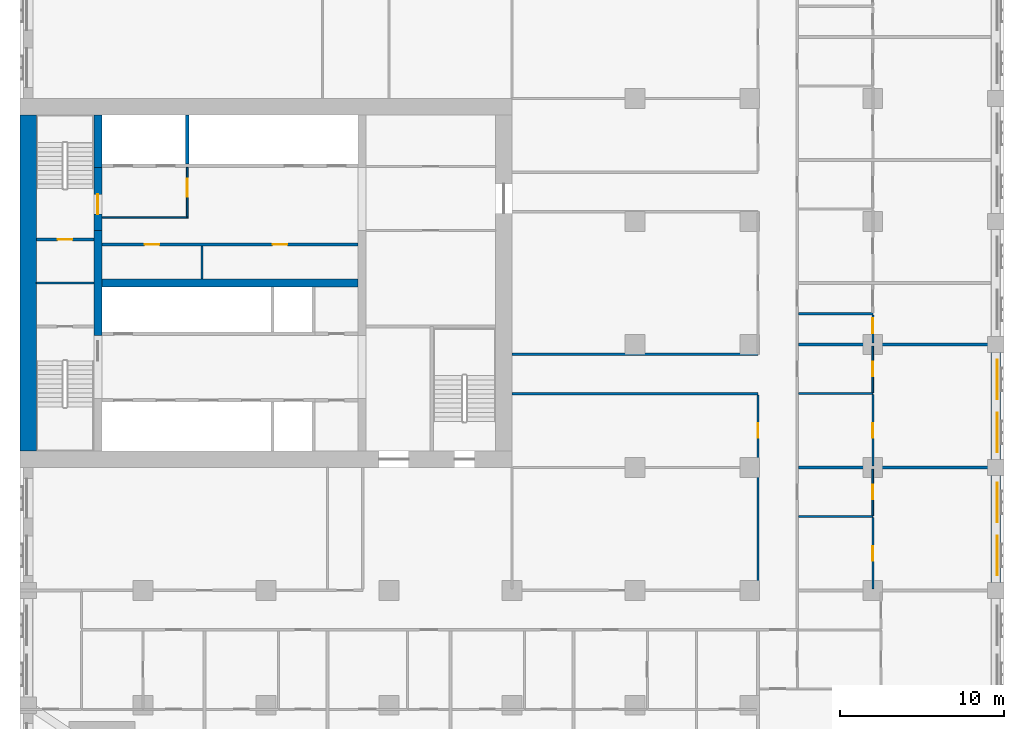
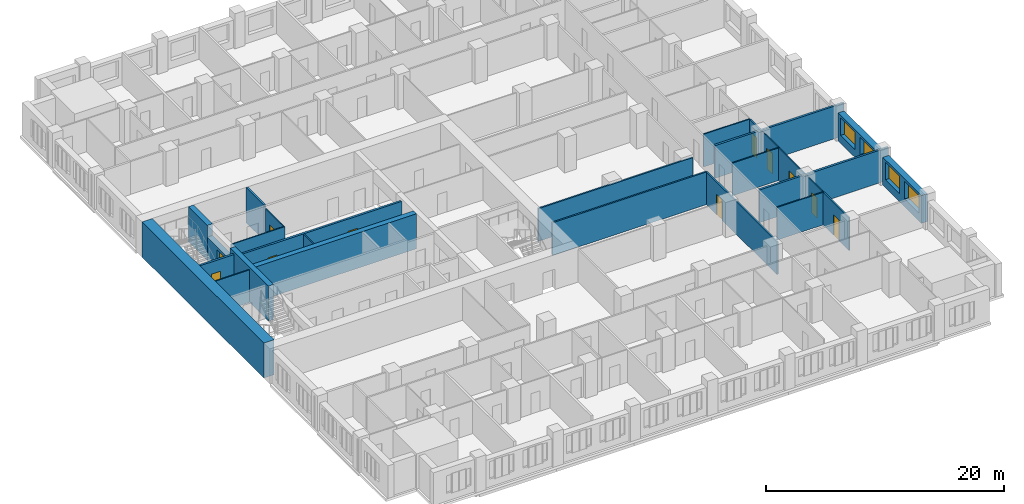
# One storey, part 7 of 14: 27 walls, 11 doors, 4 windows, 15 openings.
"""IFC4 building model written with IfcOpenShell, lengths in metres."""

import ifcopenshell
import ifcopenshell.guid

model = None  # the IFC model being written
_history = None  # IfcOwnerHistory: only IFC2X3 demands one
_inside = {}  # id of a spatial element -> (the spatial element, [elements in it])
_under = {}  # id of a project, library or spatial element -> (it, [spatial elements below it])
_declared = {}  # id of a project -> (the project, [libraries it declares])
_typed = {}  # id of a type object -> (the type object, [elements of that type])
_made_of = {}  # id of a material, layer set ... -> (it, [elements and type objects made of it])


def new_model(schema):
    """Start an empty IFC model of exactly this schema.

    Asked for "IFC4X3", IfcOpenShell would pick the latest addendum, in which some entities
    have other attributes; the version numbers below select the first issue.
    IFC2X3 requires an IfcOwnerHistory on every rooted entity: one is made here for all.
    """
    global model, _history
    if schema == "IFC4X3":
        model = ifcopenshell.file(schema_version=(4, 3, 0, 0))
    else:
        model = ifcopenshell.file(schema=schema)
    _inside.clear()
    _under.clear()
    _declared.clear()
    _typed.clear()
    _made_of.clear()
    _history = None
    if model.schema == "IFC2X3":
        org = make("IfcOrganization", Name="unknown")
        user = make(
            "IfcPersonAndOrganization",
            ThePerson=make("IfcPerson", FamilyName="unknown"),
            TheOrganization=org,
        )
        app = make(
            "IfcApplication",
            ApplicationDeveloper=org,
            Version="unknown",
            ApplicationFullName="unknown",
            ApplicationIdentifier="unknown",
        )
        _history = make(
            "IfcOwnerHistory",
            OwningUser=user,
            OwningApplication=app,
            ChangeAction="ADDED",
            CreationDate=0,
        )
    return model


def make(cls, **values):
    """One entity of the class cls with the attributes given. An attribute that is None is left unset."""
    return model.create_entity(
        cls, **{name: value for name, value in values.items() if value is not None}
    )


def rooted(cls, **values):
    """An entity with a GlobalId (a new one), such as an element, a storey or a relation."""
    return make(cls, GlobalId=ifcopenshell.guid.new(), OwnerHistory=_history, **values)


def si_unit(unit_type, name, prefix=None):
    """IfcSIUnit, for example si_unit("LENGTHUNIT", "METRE", prefix="MILLI")."""
    return make("IfcSIUnit", UnitType=unit_type, Prefix=prefix, Name=name)


def assignment(units):
    """IfcUnitAssignment: the units of a project."""
    return None if units is None else make("IfcUnitAssignment", Units=units)


def point(xyz):
    """IfcCartesianPoint."""
    return None if xyz is None else make("IfcCartesianPoint", Coordinates=xyz)


def direction(xyz):
    """IfcDirection."""
    return None if xyz is None else make("IfcDirection", DirectionRatios=xyz)


def frame(location, z_axis=None, x_axis=None):
    """IfcAxis2Placement3D, a coordinate frame: its origin and axes. An axis left out is left unset."""
    return make(
        "IfcAxis2Placement3D",
        Location=point(location),
        Axis=direction(z_axis),
        RefDirection=direction(x_axis),
    )


def frame_2d(location, x_axis=None):
    """IfcAxis2Placement2D, a coordinate frame in the plane: its origin and x axis."""
    return make(
        "IfcAxis2Placement2D", Location=point(location), RefDirection=direction(x_axis)
    )


def origin():
    """The frame at (0, 0, 0) with its axes left unset."""
    return frame((0.0, 0.0, 0.0))


def place(relative_to, where):
    """IfcLocalPlacement: puts the frame where relative to a parent placement (None: the world)."""
    return make(
        "IfcLocalPlacement", PlacementRelTo=relative_to, RelativePlacement=where
    )


def context(
    kind, dimensions, precision=None, world=None, true_north=None, identifier=None
):
    """IfcGeometricRepresentationContext, for example the 3D "Model" context."""
    return make(
        "IfcGeometricRepresentationContext",
        ContextIdentifier=identifier,
        ContextType=kind,
        CoordinateSpaceDimension=dimensions,
        Precision=precision,
        WorldCoordinateSystem=world,
        TrueNorth=true_north,
    )


def subcontext(parent, identifier, kind, view, scale=None):
    """IfcGeometricRepresentationSubContext, for example "Body" below "Model"."""
    return make(
        "IfcGeometricRepresentationSubContext",
        ContextIdentifier=identifier,
        ContextType=kind,
        ParentContext=parent,
        TargetScale=scale,
        TargetView=view,
    )


def project(units=None, contexts=None):
    """IfcProject with its units and contexts."""
    return rooted(
        "IfcProject",
        Name="project",
        RepresentationContexts=contexts,
        UnitsInContext=assignment(units),
    )


def spatial(cls, under=None, at=None, **own):
    """A site, building, storey or space (cls), placed at a placement, below another one or the project."""
    s = rooted(cls, ObjectPlacement=at, **own)
    if under is not None:
        _under.setdefault(under.id(), (under, []))[1].append(s)
    return s


def profile(cls, at=None, kind="AREA", **sizes):
    """A parametric profile (cls). Its sizes go by their IFC names, for example OverallWidth=200.0."""
    return make(cls, ProfileType=kind, Position=at, **sizes)


def rectangle(**sizes):
    """IfcRectangleProfileDef."""
    return profile("IfcRectangleProfileDef", **sizes)


def extrude(swept, where, along, depth):
    """IfcExtrudedAreaSolid: the profile swept, set in the frame where, extruded along a direction by depth."""
    return make(
        "IfcExtrudedAreaSolid",
        SweptArea=swept,
        Position=where,
        ExtrudedDirection=direction(along),
        Depth=depth,
    )


def shape(context_of_items, identifier, shape_type, items):
    """IfcShapeRepresentation: the items that make up one representation, for example the "Body"."""
    return make(
        "IfcShapeRepresentation",
        ContextOfItems=context_of_items,
        RepresentationIdentifier=identifier,
        RepresentationType=shape_type,
        Items=items,
    )


def material(Name=None, Category=None):
    """IfcMaterial."""
    return make("IfcMaterial", Name=Name, Category=Category)


def layer(
    of_material, thickness, ventilated=None, Name=None, Category=None, Priority=None
):
    """IfcMaterialLayer: one layer of a wall or slab, of a material (None: an air gap)."""
    return make(
        "IfcMaterialLayer",
        Material=of_material,
        LayerThickness=thickness,
        IsVentilated=ventilated,
        Name=Name,
        Category=Category,
        Priority=Priority,
    )


def layer_set(layers, Name=None):
    """IfcMaterialLayerSet."""
    return make("IfcMaterialLayerSet", MaterialLayers=layers, LayerSetName=Name)


def made_of(thing, what):
    """Note that an element or type object is made of a material, layer set ...; save() writes the relation."""
    if what is not None:
        _made_of.setdefault(what.id(), (what, []))[1].append(thing)
    return thing


def type_object(cls, material=None, **own):
    """A type object (cls), such as IfcWallType, which elements share."""
    return made_of(rooted(cls, **own), material)


def element(
    cls,
    number,
    at=None,
    inside=None,
    cuts=None,
    type_object=None,
    material=None,
    context=None,
    identifier="Body",
    shape_type=None,
    held_by="IfcProductDefinitionShape",
    body=None,
    shapes=None,
    **own,
):
    """One element of the class cls, such as IfcWall. Its Tag is "e" and its number.

    at: its placement. inside: the storey or other place that contains it. cuts: it is an
    opening in that element (IfcRelVoidsElement). A single representation is given by context,
    identifier, shape_type and body (its items); several are given by shapes. held_by: the class
    of the entity that holds the representations. save() writes the other relations.
    """
    e = rooted(cls, Tag="e%d" % number, ObjectPlacement=at, **own)
    if body is not None:
        shapes = [shape(context, identifier, shape_type, body)]
    if shapes is not None:
        e.Representation = make(held_by, Representations=shapes)
    if inside is not None:
        _inside.setdefault(inside.id(), (inside, []))[1].append(e)
    if cuts is not None:
        rooted(
            "IfcRelVoidsElement", RelatingBuildingElement=cuts, RelatedOpeningElement=e
        )
    if type_object is not None:
        _typed.setdefault(type_object.id(), (type_object, []))[1].append(e)
    return made_of(e, material)


def fill(opening, filler):
    """IfcRelFillsElement: the door or window that sits in an opening."""
    return rooted(
        "IfcRelFillsElement",
        RelatingOpeningElement=opening,
        RelatedBuildingElement=filler,
    )


def aggregate(whole, parts):
    """IfcRelAggregates: a whole, such as a stair, and the parts it consists of."""
    return rooted("IfcRelAggregates", RelatingObject=whole, RelatedObjects=parts)


def save(model, path):
    """Write the relations noted so far, then the file.

    IfcRelAggregates (storeys below a building ...), IfcRelContainedInSpatialStructure (elements
    in a storey), IfcRelDefinesByType, IfcRelAssociatesMaterial and IfcRelDeclares: one each for
    every whole, place, type object, material and project.
    """
    for whole, parts in _under.values():
        aggregate(whole, parts)
    for where, things in _inside.values():
        rooted(
            "IfcRelContainedInSpatialStructure",
            RelatedElements=things,
            RelatingStructure=where,
        )
    for kind, things in _typed.values():
        rooted("IfcRelDefinesByType", RelatedObjects=things, RelatingType=kind)
    for what, things in _made_of.values():
        rooted("IfcRelAssociatesMaterial", RelatedObjects=things, RelatingMaterial=what)
    for by, libraries in _declared.values():
        rooted("IfcRelDeclares", RelatingContext=by, RelatedDefinitions=libraries)
    model.write(path)


model = new_model("IFC4")

# Units and contexts
model_context = context("Model", 3, precision=1e-05, world=origin(), true_north=direction((0.0, 1.0)))
body_context = subcontext(model_context, "Body", "Model", "MODEL_VIEW")
ifc_project = project(units=[si_unit("LENGTHUNIT", "METRE"), si_unit("AREAUNIT", "SQUARE_METRE"), si_unit("VOLUMEUNIT", "CUBIC_METRE"), si_unit("PLANEANGLEUNIT", "RADIAN"), si_unit("MASSUNIT", "GRAM", prefix="KILO")], contexts=[model_context])

# Site, building, storey
site_placement = place(None, origin())
site = spatial("IfcSite", under=ifc_project, at=site_placement, CompositionType="ELEMENT")
building_placement = place(site_placement, origin())
building = spatial("IfcBuilding", under=site, at=building_placement, Name="Tamorin Gate", CompositionType="ELEMENT")
storey_placement = place(building_placement, frame((0.0, 0.0, 66.39990234375)))
storey = spatial("IfcBuildingStorey", under=building, at=storey_placement, Name="L15", CompositionType="ELEMENT", Elevation=66.39990234375)

# Wall, openings, windows
ifc_material_1 = material(Name="Precast concrete C40/50", Category="concrete")
ifc_layer_1 = layer(ifc_material_1, 0.60009765625)
ifc_layer_set_1 = layer_set([ifc_layer_1], Name="Precast concrete C40/50")
wall_type_1 = type_object("IfcWallType", Name="Board-marked concrete facade panel 600", PredefinedType="SOLIDWALL", material=ifc_layer_set_1)
wall_1_placement = place(storey_placement, frame((89.5, 53.0, 0.0), z_axis=(0.0, 0.0, 1.0), x_axis=(0.0, 1.0, 0.0)))
wall_1 = element("IfcWall", 1, at=wall_1_placement, inside=storey, type_object=wall_type_1, Name="Facade panel", PredefinedType="SOLIDWALL", context=body_context, shape_type="SweptSolid", body=[
    extrude(rectangle(XDim=6.5, YDim=0.60009765625, at=frame_2d((3.25, 0.0))), origin(), (0.0, 0.0, 1.0), 2.85009765625),
])
opening_1_placement = place(wall_1_placement, frame((0.425048828125, 0.0, 0.800048828125)))
opening_1 = element("IfcOpeningElement", 2, at=opening_1_placement, cuts=wall_1, Name="Opening WN1", PredefinedType="OPENING", context=body_context, shape_type="SweptSolid", body=[
    extrude(rectangle(XDim=2.39990234375, YDim=1.800048828125, at=frame_2d((1.199951171875, 0.89990234375))), frame((0.0, 0.31005859375, 0.0), z_axis=(0.0, -1.0, 0.0), x_axis=(1.0, 0.0, 0.0)), (0.0, 0.0, 1.0), 0.6201171875),
])
opening_2_placement = place(wall_1_placement, frame((3.675048828125, 0.0, 0.800048828125)))
opening_2 = element("IfcOpeningElement", 3, at=opening_2_placement, cuts=wall_1, Name="Opening WN1", PredefinedType="OPENING", context=body_context, shape_type="SweptSolid", body=[
    extrude(rectangle(XDim=2.39990234375, YDim=1.800048828125, at=frame_2d((1.199951171875, 0.89990234375))), frame((0.0, 0.31005859375, 0.0), z_axis=(0.0, -1.0, 0.0), x_axis=(1.0, 0.0, 0.0)), (0.0, 0.0, 1.0), 0.6201171875),
])
ifc_material_2 = material(Name="Clear glass in aluminium frame", Category="aluminium")
window_type = type_object("IfcWindowType", Name="Deep-set window 2400x1800", PartitioningType="SINGLE_PANEL", PredefinedType="WINDOW", material=ifc_material_2)
window_1_placement = place(opening_1_placement, origin())
window_1 = element("IfcWindow", 4, at=window_1_placement, inside=storey, type_object=window_type, Name="Deep-set window", OverallHeight=1.800048828125, OverallWidth=2.39990234375, PartitioningType="SINGLE_PANEL", PredefinedType="WINDOW", context=body_context, shape_type="SweptSolid", body=[
    extrude(rectangle(XDim=2.39990234375, YDim=1.800048828125, at=frame_2d((1.199951171875, 0.89990234375))), frame((0.0, -0.070068359375, 0.0), z_axis=(0.0, -1.0, 0.0), x_axis=(1.0, 0.0, 0.0)), (0.0, 0.0, 1.0), 0.06005859375),
])
fill(opening_1, window_1)
window_2_placement = place(opening_2_placement, origin())
window_2 = element("IfcWindow", 5, at=window_2_placement, inside=storey, type_object=window_type, Name="Deep-set window", OverallHeight=1.800048828125, OverallWidth=2.39990234375, PartitioningType="SINGLE_PANEL", PredefinedType="WINDOW", context=body_context, shape_type="SweptSolid", body=[
    extrude(rectangle(XDim=2.39990234375, YDim=1.800048828125, at=frame_2d((1.199951171875, 0.89990234375))), frame((0.0, -0.070068359375, 0.0), z_axis=(0.0, -1.0, 0.0), x_axis=(1.0, 0.0, 0.0)), (0.0, 0.0, 1.0), 0.06005859375),
])
fill(opening_2, window_2)

wall_2_placement = place(storey_placement, frame((89.5, 60.5, 0.0), z_axis=(0.0, 0.0, 1.0), x_axis=(0.0, 1.0, 0.0)))
wall_2 = element("IfcWall", 6, at=wall_2_placement, inside=storey, type_object=wall_type_1, Name="Facade panel", PredefinedType="SOLIDWALL", context=body_context, shape_type="SweptSolid", body=[
    extrude(rectangle(XDim=6.5, YDim=0.60009765625, at=frame_2d((3.25, 0.0))), origin(), (0.0, 0.0, 1.0), 2.85009765625),
])
opening_3_placement = place(wall_2_placement, frame((0.425048828125, 0.0, 0.800048828125)))
opening_3 = element("IfcOpeningElement", 7, at=opening_3_placement, cuts=wall_2, Name="Opening WN1", PredefinedType="OPENING", context=body_context, shape_type="SweptSolid", body=[
    extrude(rectangle(XDim=2.39990234375, YDim=1.800048828125, at=frame_2d((1.199951171875, 0.89990234375))), frame((0.0, 0.31005859375, 0.0), z_axis=(0.0, -1.0, 0.0), x_axis=(1.0, 0.0, 0.0)), (0.0, 0.0, 1.0), 0.6201171875),
])
opening_4_placement = place(wall_2_placement, frame((3.675048828125, 0.0, 0.800048828125)))
opening_4 = element("IfcOpeningElement", 8, at=opening_4_placement, cuts=wall_2, Name="Opening WN1", PredefinedType="OPENING", context=body_context, shape_type="SweptSolid", body=[
    extrude(rectangle(XDim=2.39990234375, YDim=1.800048828125, at=frame_2d((1.199951171875, 0.89990234375))), frame((0.0, 0.31005859375, 0.0), z_axis=(0.0, -1.0, 0.0), x_axis=(1.0, 0.0, 0.0)), (0.0, 0.0, 1.0), 0.6201171875),
])
window_3_placement = place(opening_3_placement, origin())
window_3 = element("IfcWindow", 9, at=window_3_placement, inside=storey, type_object=window_type, Name="Deep-set window", OverallHeight=1.800048828125, OverallWidth=2.39990234375, PartitioningType="SINGLE_PANEL", PredefinedType="WINDOW", context=body_context, shape_type="SweptSolid", body=[
    extrude(rectangle(XDim=2.39990234375, YDim=1.800048828125, at=frame_2d((1.199951171875, 0.89990234375))), frame((0.0, -0.070068359375, 0.0), z_axis=(0.0, -1.0, 0.0), x_axis=(1.0, 0.0, 0.0)), (0.0, 0.0, 1.0), 0.06005859375),
])
fill(opening_3, window_3)
window_4_placement = place(opening_4_placement, origin())
window_4 = element("IfcWindow", 10, at=window_4_placement, inside=storey, type_object=window_type, Name="Deep-set window", OverallHeight=1.800048828125, OverallWidth=2.39990234375, PartitioningType="SINGLE_PANEL", PredefinedType="WINDOW", context=body_context, shape_type="SweptSolid", body=[
    extrude(rectangle(XDim=2.39990234375, YDim=1.800048828125, at=frame_2d((1.199951171875, 0.89990234375))), frame((0.0, -0.070068359375, 0.0), z_axis=(0.0, -1.0, 0.0), x_axis=(1.0, 0.0, 0.0)), (0.0, 0.0, 1.0), 0.06005859375),
])
fill(opening_4, window_4)

# Wall, opening, door
ifc_material_3 = material(Name="Gypsum board partition")
ifc_layer_2 = layer(ifc_material_3, 0.14990234375)
ifc_layer_set_2 = layer_set([ifc_layer_2], Name="Corridor wall 150")
wall_type_2 = type_object("IfcWallType", Name="Corridor wall 150", PredefinedType="PARTITIONING", material=ifc_layer_set_2)
wall_3_placement = place(storey_placement, frame((75.0, 52.574951171875, 0.0), z_axis=(0.0, 0.0, 1.0), x_axis=(0.0, 1.0, 0.0)))
wall_3 = element("IfcWall", 11, at=wall_3_placement, inside=storey, type_object=wall_type_2, Name="Corridor wall 150", PredefinedType="PARTITIONING", context=body_context, shape_type="SweptSolid", body=[
    extrude(rectangle(XDim=11.85009765625, YDim=0.14990234375, at=frame_2d((5.925048828125, 0.0))), origin(), (0.0, 0.0, 1.0), 3.35009765625),
])
opening_5_placement = place(wall_3_placement, frame((9.22509765625, 0.0, 0.0)))
opening_5 = element("IfcOpeningElement", 12, at=opening_5_placement, cuts=wall_3, Name="Opening DH2074", PredefinedType="OPENING", context=body_context, shape_type="SweptSolid", body=[
    extrude(rectangle(XDim=0.89990234375, YDim=2.10009765625, at=frame_2d((0.449951171875, 1.050048828125))), frame((0.0, 0.0849609375, 0.0), z_axis=(0.0, -1.0, 0.0), x_axis=(1.0, 0.0, 0.0)), (0.0, 0.0, 1.0), 0.169921875),
])
ifc_material_4 = material(Name="Timber door leaf", Category="wood")
door_type_1 = type_object("IfcDoorType", Name="Door 900 x 2100 FD30S", OperationType="NOTDEFINED", PredefinedType="DOOR", material=ifc_material_4)
door_1_placement = place(opening_5_placement, origin())
door_1 = element("IfcDoor", 13, at=door_1_placement, inside=storey, type_object=door_type_1, Name="Door DH2074", OperationType="SINGLE_SWING_LEFT", OverallHeight=2.10009765625, OverallWidth=0.89990234375, PredefinedType="DOOR", context=body_context, shape_type="SweptSolid", body=[
    extrude(rectangle(XDim=0.89990234375, YDim=2.10009765625, at=frame_2d((0.449951171875, 1.050048828125))), frame((0.0, 0.02490234375, 0.0), z_axis=(0.0, -1.0, 0.0), x_axis=(1.0, 0.0, 0.0)), (0.0, 0.0, 1.0), 0.050048828125),
])
fill(opening_5, door_1)

# Walls
ifc_layer_3 = layer(ifc_material_3, 0.199951171875)
ifc_layer_set_3 = layer_set([ifc_layer_3], Name="Demising wall 200")
wall_type_3 = type_object("IfcWallType", Name="Demising wall 200", PredefinedType="PARTITIONING", material=ifc_layer_set_3)
for number, where, z_axis, x_axis, name in (
    (14, (77.47509765625, 60.0, 0.0), (0.0, 0.0, 1.0), (1.0, 0.0, 0.0), "Demising wall 200"),
    (15, (77.47509765625, 67.5, 0.0), (0.0, 0.0, 1.0), (1.0, 0.0, 0.0), "Demising wall 200"),
):
    element("IfcWall", number, at=place(storey_placement, frame(where, z_axis=z_axis, x_axis=x_axis)), inside=storey, type_object=wall_type_3, Name=name, PredefinedType="PARTITIONING", context=body_context, shape_type="SweptSolid", body=[
        extrude(rectangle(XDim=12.52490234375, YDim=0.199951171875, at=frame_2d((6.262451171875, 0.0))), origin(), (0.0, 0.0, 1.0), 3.35009765625),
    ])
ifc_material_5 = material(Name="Concrete C32/40", Category="concrete")
ifc_layer_4 = layer(ifc_material_5, 0.199951171875)
ifc_layer_set_4 = layer_set([ifc_layer_4], Name="Lift shaft wall 200 EI 120")
wall_type_4 = type_object("IfcWallType", Name="Lift shaft wall 200 EI 120", PredefinedType="SOLIDWALL", material=ifc_layer_set_4)
wall_4_placement = place(storey_placement, frame((40.199951171875, 78.5, 0.0), z_axis=(0.0, 0.0, 1.0), x_axis=(0.0, 1.0, 0.0)))
element("IfcWall", 16, at=wall_4_placement, inside=storey, type_object=wall_type_4, Name="Lift shaft wall", PredefinedType="SOLIDWALL", context=body_context, shape_type="SweptSolid", body=[
    extrude(rectangle(XDim=3.0, YDim=0.199951171875, at=frame_2d((1.5, 0.0))), origin(), (0.0, 0.0, 1.0), 3.60009765625),
])
ifc_material_6 = material(Name="Fire-rated gypsum board partition")
ifc_layer_5 = layer(ifc_material_6, 0.10009765625)
ifc_layer_set_5 = layer_set([ifc_layer_5], Name="Lobby wall 100 EI 60")
wall_type_5 = type_object("IfcWallType", Name="Lobby wall 100 EI 60", PredefinedType="PARTITIONING", material=ifc_layer_set_5)
wall_5_placement = place(storey_placement, frame((35.0, 75.25, 0.0), z_axis=(0.0, 0.0, 1.0), x_axis=(1.0, 0.0, 0.0)))
element("IfcWall", 17, at=wall_5_placement, inside=storey, type_object=wall_type_5, Name="Firefighting lobby wall", PredefinedType="PARTITIONING", context=body_context, shape_type="SweptSolid", body=[
    extrude(rectangle(XDim=5.25, YDim=0.10009765625, at=frame_2d((2.625, 0.0))), origin(), (0.0, 0.0, 1.0), 3.35009765625),
])

# Wall, opening, door
wall_6_placement = place(storey_placement, frame((40.199951171875, 75.300048828125, 0.0), z_axis=(0.0, 0.0, 1.0), x_axis=(0.0, 1.0, 0.0)))
wall_6 = element("IfcWall", 18, at=wall_6_placement, inside=storey, type_object=wall_type_5, Name="Firefighting lobby wall", PredefinedType="PARTITIONING", context=body_context, shape_type="SweptSolid", body=[
    extrude(rectangle(XDim=3.0, YDim=0.10009765625, at=frame_2d((1.5, 0.0))), origin(), (0.0, 0.0, 1.0), 3.35009765625),
])
opening_6_placement = place(wall_6_placement, frame((1.199951171875, 0.0, 0.0)))
opening_6 = element("IfcOpeningElement", 19, at=opening_6_placement, cuts=wall_6, Name="Opening DF1", PredefinedType="OPENING", context=body_context, shape_type="SweptSolid", body=[
    extrude(rectangle(XDim=1.10009765625, YDim=2.10009765625, at=frame_2d((0.550048828125, 1.050048828125))), frame((0.0, 0.06005859375, 0.0), z_axis=(0.0, -1.0, 0.0), x_axis=(1.0, 0.0, 0.0)), (0.0, 0.0, 1.0), 0.1201171875),
])
ifc_material_7 = material(Name="Steel fire door", Category="steel")
door_type_2 = type_object("IfcDoorType", Name="Firefighting lobby door 1100 x 2100 EI 90", OperationType="SINGLE_SWING_LEFT", PredefinedType="DOOR", material=ifc_material_7)
door_2_placement = place(opening_6_placement, origin())
door_2 = element("IfcDoor", 20, at=door_2_placement, inside=storey, type_object=door_type_2, Name="Firefighting lobby door", OperationType="SINGLE_SWING_LEFT", OverallHeight=2.10009765625, OverallWidth=1.10009765625, PredefinedType="DOOR", context=body_context, shape_type="SweptSolid", body=[
    extrude(rectangle(XDim=1.10009765625, YDim=2.10009765625, at=frame_2d((0.550048828125, 1.050048828125))), frame((0.0, 0.02490234375, 0.0), z_axis=(0.0, -1.0, 0.0), x_axis=(1.0, 0.0, 0.0)), (0.0, 0.0, 1.0), 0.050048828125),
])
fill(opening_6, door_2)

# Walls
ifc_layer_6 = layer(ifc_material_3, 0.14990234375)
ifc_layer_set_6 = layer_set([ifc_layer_6], Name="Lobby wall 150")
wall_type_6 = type_object("IfcWallType", Name="Lobby wall 150", PredefinedType="PARTITIONING", material=ifc_layer_set_6)
for number, where, z_axis, x_axis, name in (
    (21, (60.0, 64.5, 0.0), (0.0, 0.0, 1.0), (1.0, 0.0, 0.0), "Lobby wall 150"),
    (22, (60.0, 66.89990234375, 0.0), (0.0, 0.0, 1.0), (1.0, 0.0, 0.0), "Lobby wall 150"),
):
    element("IfcWall", number, at=place(storey_placement, frame(where, z_axis=z_axis, x_axis=x_axis)), inside=storey, type_object=wall_type_6, Name=name, PredefinedType="PARTITIONING", context=body_context, shape_type="SweptSolid", body=[
        extrude(rectangle(XDim=15.0, YDim=0.14990234375, at=frame_2d((7.5, 0.0))), origin(), (0.0, 0.0, 1.0), 3.35009765625),
    ])
ifc_material_8 = material(Name="Concrete C80/95", Category="concrete")
ifc_layer_7 = layer(ifc_material_8, 0.5)
ifc_layer_set_7 = layer_set([ifc_layer_7], Name="RC core internal wall 500 C80/95")
wall_type_7 = type_object("IfcWallType", Name="RC core internal wall 500 C80/95", PredefinedType="SHEAR", material=ifc_layer_set_7)
wall_7_placement = place(storey_placement, frame((35.0, 71.25, 0.0), z_axis=(0.0, 0.0, 1.0), x_axis=(1.0, 0.0, 0.0)))
element("IfcWall", 23, at=wall_7_placement, inside=storey, type_object=wall_type_7, Name="Core spine wall L15", PredefinedType="SHEAR", context=body_context, shape_type="SweptSolid", body=[
    extrude(rectangle(XDim=15.60009765625, YDim=0.5, at=frame_2d((7.800048828125, 0.0))), origin(), (0.0, 0.0, 1.0), 3.60009765625),
])
wall_8_placement = place(storey_placement, frame((34.75, 68.050048828125, 0.0), z_axis=(0.0, 0.0, 1.0), x_axis=(0.0, 1.0, 0.0)))
element("IfcWall", 24, at=wall_8_placement, inside=storey, type_object=wall_type_7, Name="Core cross wall L15", PredefinedType="SHEAR", context=body_context, shape_type="SweptSolid", body=[
    extrude(rectangle(XDim=6.39990234375, YDim=0.5, at=frame_2d((3.199951171875, 0.0))), origin(), (0.0, 0.0, 1.0), 3.60009765625),
])
wall_9_placement = place(storey_placement, frame((34.75, 78.300048828125, 0.0), z_axis=(0.0, 0.0, 1.0), x_axis=(0.0, 1.0, 0.0)))
element("IfcWall", 25, at=wall_9_placement, inside=storey, type_object=wall_type_7, Name="Core cross wall L15", PredefinedType="SHEAR", context=body_context, shape_type="SweptSolid", body=[
    extrude(rectangle(XDim=3.199951171875, YDim=0.5, at=frame_2d((1.60009765625, 0.0))), origin(), (0.0, 0.0, 1.0), 3.60009765625),
])
ifc_layer_8 = layer(ifc_material_8, 1.0)
ifc_layer_set_8 = layer_set([ifc_layer_8], Name="RC core wall 1000 C80/95")
wall_type_8 = type_object("IfcWallType", Name="RC core wall 1000 C80/95", PredefinedType="SHEAR", material=ifc_layer_set_8)
wall_10_placement = place(storey_placement, frame((30.5, 61.0, 0.0), z_axis=(0.0, 0.0, 1.0), x_axis=(0.0, 1.0, 0.0)))
element("IfcWall", 26, at=wall_10_placement, inside=storey, type_object=wall_type_8, Name="Core wall L15", PredefinedType="SHEAR", context=body_context, shape_type="SweptSolid", body=[
    extrude(rectangle(XDim=20.5, YDim=1.0, at=frame_2d((10.25, 0.0))), origin(), (0.0, 0.0, 1.0), 3.60009765625),
])
ifc_layer_9 = layer(ifc_material_6, 0.10009765625)
ifc_layer_set_9 = layer_set([ifc_layer_9], Name="Riser partition 100 EI 120")
wall_type_9 = type_object("IfcWallType", Name="Riser partition 100 EI 120", PredefinedType="PARTITIONING", material=ifc_layer_set_9)
wall_11_placement = place(storey_placement, frame((31.0, 71.25, 0.0), z_axis=(0.0, 0.0, 1.0), x_axis=(1.0, 0.0, 0.0)))
element("IfcWall", 27, at=wall_11_placement, inside=storey, type_object=wall_type_9, Name="Riser partition", PredefinedType="PARTITIONING", context=body_context, shape_type="SweptSolid", body=[
    extrude(rectangle(XDim=3.5, YDim=0.10009765625, at=frame_2d((1.75, 0.0))), origin(), (0.0, 0.0, 1.0), 3.35009765625),
])

# Wall, opening, door
ifc_layer_10 = layer(ifc_material_3, 0.10009765625)
ifc_layer_set_10 = layer_set([ifc_layer_10], Name="Room partition 100")
wall_type_10 = type_object("IfcWallType", Name="Room partition 100", PredefinedType="PARTITIONING", material=ifc_layer_set_10)
wall_12_placement = place(storey_placement, frame((82.0, 57.0625, 0.0), z_axis=(0.0, 0.0, 1.0), x_axis=(0.0, 1.0, 0.0)))
wall_12 = element("IfcWall", 28, at=wall_12_placement, inside=storey, type_object=wall_type_10, Name="Room partition 100", PredefinedType="PARTITIONING", context=body_context, shape_type="SweptSolid", body=[
    extrude(rectangle(XDim=2.83740234375, YDim=0.10009765625, at=frame_2d((1.418701171875, 0.0))), origin(), (0.0, 0.0, 1.0), 3.35009765625),
])
opening_7_placement = place(wall_12_placement, frame((0.987548828125, 0.0, 0.0)))
opening_7 = element("IfcOpeningElement", 29, at=opening_7_placement, cuts=wall_12, Name="Opening DH2039", PredefinedType="OPENING", context=body_context, shape_type="SweptSolid", body=[
    extrude(rectangle(XDim=0.89990234375, YDim=2.10009765625, at=frame_2d((0.449951171875, 1.050048828125))), frame((0.0, 0.06005859375, 0.0), z_axis=(0.0, -1.0, 0.0), x_axis=(1.0, 0.0, 0.0)), (0.0, 0.0, 1.0), 0.1201171875),
])
door_type_3 = type_object("IfcDoorType", Name="Door 900 x 2100", OperationType="NOTDEFINED", PredefinedType="DOOR", material=ifc_material_4)
door_3_placement = place(opening_7_placement, origin())
door_3 = element("IfcDoor", 30, at=door_3_placement, inside=storey, type_object=door_type_3, Name="Door DH2039", OperationType="SINGLE_SWING_LEFT", OverallHeight=2.10009765625, OverallWidth=0.89990234375, PredefinedType="DOOR", context=body_context, shape_type="SweptSolid", body=[
    extrude(rectangle(XDim=0.89990234375, YDim=2.10009765625, at=frame_2d((0.449951171875, 1.050048828125))), frame((0.0, 0.02490234375, 0.0), z_axis=(0.0, -1.0, 0.0), x_axis=(1.0, 0.0, 0.0)), (0.0, 0.0, 1.0), 0.050048828125),
])
fill(opening_7, door_3)

wall_13_placement = place(storey_placement, frame((82.0, 64.5625, 0.0), z_axis=(0.0, 0.0, 1.0), x_axis=(0.0, 1.0, 0.0)))
wall_13 = element("IfcWall", 31, at=wall_13_placement, inside=storey, type_object=wall_type_10, Name="Room partition 100", PredefinedType="PARTITIONING", context=body_context, shape_type="SweptSolid", body=[
    extrude(rectangle(XDim=2.83740234375, YDim=0.10009765625, at=frame_2d((1.418701171875, 0.0))), origin(), (0.0, 0.0, 1.0), 3.35009765625),
])
opening_8_placement = place(wall_13_placement, frame((0.987548828125, 0.0, 0.0)))
opening_8 = element("IfcOpeningElement", 32, at=opening_8_placement, cuts=wall_13, Name="Opening DH2042", PredefinedType="OPENING", context=body_context, shape_type="SweptSolid", body=[
    extrude(rectangle(XDim=0.89990234375, YDim=2.10009765625, at=frame_2d((0.449951171875, 1.050048828125))), frame((0.0, 0.06005859375, 0.0), z_axis=(0.0, -1.0, 0.0), x_axis=(1.0, 0.0, 0.0)), (0.0, 0.0, 1.0), 0.1201171875),
])
door_4_placement = place(opening_8_placement, origin())
door_4 = element("IfcDoor", 33, at=door_4_placement, inside=storey, type_object=door_type_3, Name="Door DH2042", OperationType="SINGLE_SWING_LEFT", OverallHeight=2.10009765625, OverallWidth=0.89990234375, PredefinedType="DOOR", context=body_context, shape_type="SweptSolid", body=[
    extrude(rectangle(XDim=0.89990234375, YDim=2.10009765625, at=frame_2d((0.449951171875, 1.050048828125))), frame((0.0, 0.02490234375, 0.0), z_axis=(0.0, -1.0, 0.0), x_axis=(1.0, 0.0, 0.0)), (0.0, 0.0, 1.0), 0.050048828125),
])
fill(opening_8, door_4)

# Wall, openings, doors
ifc_layer_11 = layer(ifc_material_3, 0.199951171875)
ifc_layer_set_11 = layer_set([ifc_layer_11], Name="Service room face wall 200 EI 60")
wall_type_11 = type_object("IfcWallType", Name="Service room face wall 200 EI 60", PredefinedType="PARTITIONING", material=ifc_layer_set_11)
wall_14_placement = place(storey_placement, frame((35.0, 73.60009765625, 0.0), z_axis=(0.0, 0.0, 1.0), x_axis=(1.0, 0.0, 0.0)))
wall_14 = element("IfcWall", 34, at=wall_14_placement, inside=storey, type_object=wall_type_11, Name="Service room face wall", PredefinedType="PARTITIONING", context=body_context, shape_type="SweptSolid", body=[
    extrude(rectangle(XDim=15.60009765625, YDim=0.199951171875, at=frame_2d((7.800048828125, 0.0))), origin(), (0.0, 0.0, 1.0), 3.35009765625),
])
opening_9_placement = place(wall_14_placement, frame((2.60009765625, 0.0, 0.0)))
opening_9 = element("IfcOpeningElement", 35, at=opening_9_placement, cuts=wall_14, Name="Opening DK1", PredefinedType="OPENING", context=body_context, shape_type="SweptSolid", body=[
    extrude(rectangle(XDim=0.89990234375, YDim=2.10009765625, at=frame_2d((0.449951171875, 1.050048828125))), frame((0.0, 0.10986328125, 0.0), z_axis=(0.0, -1.0, 0.0), x_axis=(1.0, 0.0, 0.0)), (0.0, 0.0, 1.0), 0.219970703125),
])
opening_10_placement = place(wall_14_placement, frame((10.39990234375, 0.0, 0.0)))
opening_10 = element("IfcOpeningElement", 36, at=opening_10_placement, cuts=wall_14, Name="Opening DK1", PredefinedType="OPENING", context=body_context, shape_type="SweptSolid", body=[
    extrude(rectangle(XDim=0.89990234375, YDim=2.10009765625, at=frame_2d((0.449951171875, 1.050048828125))), frame((0.0, 0.10986328125, 0.0), z_axis=(0.0, -1.0, 0.0), x_axis=(1.0, 0.0, 0.0)), (0.0, 0.0, 1.0), 0.219970703125),
])
ifc_material_9 = material(Name="Timber fire door", Category="wood")
door_type_4 = type_object("IfcDoorType", Name="Service room door 900 x 2100 EI 60", OperationType="SINGLE_SWING_LEFT", PredefinedType="DOOR", material=ifc_material_9)
door_5_placement = place(opening_9_placement, origin())
door_5 = element("IfcDoor", 37, at=door_5_placement, inside=storey, type_object=door_type_4, Name="Door Cleaner's store", OperationType="SINGLE_SWING_LEFT", OverallHeight=2.10009765625, OverallWidth=0.89990234375, PredefinedType="DOOR", context=body_context, shape_type="SweptSolid", body=[
    extrude(rectangle(XDim=0.89990234375, YDim=2.10009765625, at=frame_2d((0.449951171875, 1.050048828125))), frame((0.0, 0.02490234375, 0.0), z_axis=(0.0, -1.0, 0.0), x_axis=(1.0, 0.0, 0.0)), (0.0, 0.0, 1.0), 0.050048828125),
])
fill(opening_9, door_5)
door_6_placement = place(opening_10_placement, origin())
door_6 = element("IfcDoor", 38, at=door_6_placement, inside=storey, type_object=door_type_4, Name="Door Pantry", OperationType="SINGLE_SWING_RIGHT", OverallHeight=2.10009765625, OverallWidth=0.89990234375, PredefinedType="DOOR", context=body_context, shape_type="SweptSolid", body=[
    extrude(rectangle(XDim=0.89990234375, YDim=2.10009765625, at=frame_2d((0.449951171875, 1.050048828125))), frame((0.0, 0.02490234375, 0.0), z_axis=(0.0, -1.0, 0.0), x_axis=(1.0, 0.0, 0.0)), (0.0, 0.0, 1.0), 0.050048828125),
])
fill(opening_10, door_6)

# Wall
ifc_layer_12 = layer(ifc_material_3, 0.10009765625)
ifc_layer_set_12 = layer_set([ifc_layer_12], Name="Service room partition 100 EI 60")
wall_type_12 = type_object("IfcWallType", Name="Service room partition 100 EI 60", PredefinedType="PARTITIONING", material=ifc_layer_set_12)
wall_15_placement = place(storey_placement, frame((41.10009765625, 71.5, 0.0), z_axis=(0.0, 0.0, 1.0), x_axis=(0.0, 1.0, 0.0)))
element("IfcWall", 39, at=wall_15_placement, inside=storey, type_object=wall_type_12, Name="Service room partition", PredefinedType="PARTITIONING", context=body_context, shape_type="SweptSolid", body=[
    extrude(rectangle(XDim=2.0, YDim=0.10009765625, at=frame_2d((1.0, 0.0))), origin(), (0.0, 0.0, 1.0), 3.35009765625),
])

# Wall, opening, door
ifc_material_10 = material(Name="Concrete C40/50", Category="concrete")
ifc_layer_13 = layer(ifc_material_10, 0.199951171875)
ifc_layer_set_13 = layer_set([ifc_layer_13], Name="Stair enclosure wall 200 EI 120 C40/50")
wall_type_13 = type_object("IfcWallType", Name="Stair enclosure wall 200 EI 120 C40/50", PredefinedType="SOLIDWALL", material=ifc_layer_set_13)
wall_16_placement = place(storey_placement, frame((31.0, 73.89990234375, 0.0), z_axis=(0.0, 0.0, 1.0), x_axis=(1.0, 0.0, 0.0)))
wall_16 = element("IfcWall", 40, at=wall_16_placement, inside=storey, type_object=wall_type_13, Name="Stair enclosure wall", PredefinedType="SOLIDWALL", context=body_context, shape_type="SweptSolid", body=[
    extrude(rectangle(XDim=3.5, YDim=0.199951171875, at=frame_2d((1.75, 0.0))), origin(), (0.0, 0.0, 1.0), 3.35009765625),
])
opening_11_placement = place(wall_16_placement, frame((1.300048828125, 0.0, 0.0)))
opening_11 = element("IfcOpeningElement", 41, at=opening_11_placement, cuts=wall_16, Name="Opening DR1", PredefinedType="OPENING", context=body_context, shape_type="SweptSolid", body=[
    extrude(rectangle(XDim=0.89990234375, YDim=2.10009765625, at=frame_2d((0.449951171875, 1.050048828125))), frame((0.0, 0.10986328125, 0.0), z_axis=(0.0, -1.0, 0.0), x_axis=(1.0, 0.0, 0.0)), (0.0, 0.0, 1.0), 0.219970703125),
])
door_type_5 = type_object("IfcDoorType", Name="Riser access door 900 x 2100 EI 120", OperationType="SINGLE_SWING_LEFT", PredefinedType="DOOR", material=ifc_material_7)
door_7_placement = place(opening_11_placement, origin())
door_7 = element("IfcDoor", 42, at=door_7_placement, inside=storey, type_object=door_type_5, Name="Communications riser door", OperationType="SINGLE_SWING_RIGHT", OverallHeight=2.10009765625, OverallWidth=0.89990234375, PredefinedType="DOOR", context=body_context, shape_type="SweptSolid", body=[
    extrude(rectangle(XDim=0.89990234375, YDim=2.10009765625, at=frame_2d((0.449951171875, 1.050048828125))), frame((0.0, 0.02490234375, 0.0), z_axis=(0.0, -1.0, 0.0), x_axis=(1.0, 0.0, 0.0)), (0.0, 0.0, 1.0), 0.050048828125),
])
fill(opening_11, door_7)

ifc_layer_14 = layer(ifc_material_5, 0.5)
ifc_layer_set_14 = layer_set([ifc_layer_14], Name="Stair lobby infill wall 500 EI 120")
wall_type_14 = type_object("IfcWallType", Name="Stair lobby infill wall 500 EI 120", PredefinedType="SOLIDWALL", material=ifc_layer_set_14)
wall_17_placement = place(storey_placement, frame((34.75, 74.449951171875, 0.0), z_axis=(0.0, 0.0, 1.0), x_axis=(0.0, 1.0, 0.0)))
wall_17 = element("IfcWall", 43, at=wall_17_placement, inside=storey, type_object=wall_type_14, Name="Stair lobby infill wall", PredefinedType="SOLIDWALL", context=body_context, shape_type="SweptSolid", body=[
    extrude(rectangle(XDim=3.85009765625, YDim=0.5, at=frame_2d((1.925048828125, 0.0))), origin(), (0.0, 0.0, 1.0), 2.400146484375),
])
opening_12_placement = place(wall_17_placement, frame((1.0, 0.0, 0.0)))
opening_12 = element("IfcOpeningElement", 44, at=opening_12_placement, cuts=wall_17, Name="Opening DS1", PredefinedType="OPENING", context=body_context, shape_type="SweptSolid", body=[
    extrude(rectangle(XDim=1.199951171875, YDim=2.10009765625, at=frame_2d((0.60009765625, 1.050048828125))), frame((0.0, 0.260009765625, 0.0), z_axis=(0.0, -1.0, 0.0), x_axis=(1.0, 0.0, 0.0)), (0.0, 0.0, 1.0), 0.52001953125),
])
door_type_6 = type_object("IfcDoorType", Name="Stair door 1200 x 2100 EI 90", OperationType="SINGLE_SWING_LEFT", PredefinedType="DOOR", material=ifc_material_7)
door_8_placement = place(opening_12_placement, origin())
door_8 = element("IfcDoor", 45, at=door_8_placement, inside=storey, type_object=door_type_6, Name="ST2 door", OperationType="SINGLE_SWING_RIGHT", OverallHeight=2.10009765625, OverallWidth=1.199951171875, PredefinedType="DOOR", context=body_context, shape_type="SweptSolid", body=[
    extrude(rectangle(XDim=1.199951171875, YDim=2.10009765625, at=frame_2d((0.60009765625, 1.050048828125))), frame((0.0, 0.02490234375, 0.0), z_axis=(0.0, -1.0, 0.0), x_axis=(1.0, 0.0, 0.0)), (0.0, 0.0, 1.0), 0.050048828125),
])
fill(opening_12, door_8)

# Walls
ifc_layer_15 = layer(ifc_material_3, 0.125)
ifc_layer_set_15 = layer_set([ifc_layer_15], Name="Wet wall 125")
wall_type_15 = type_object("IfcWallType", Name="Wet wall 125", PredefinedType="PARTITIONING", material=ifc_layer_set_15)
for number, where, z_axis, x_axis, name in (
    (46, (77.47509765625, 57.0, 0.0), (0.0, 0.0, 1.0), (1.0, 0.0, 0.0), "Wet wall 125"),
    (47, (77.47509765625, 64.5, 0.0), (0.0, 0.0, 1.0), (1.0, 0.0, 0.0), "Wet wall 125"),
    (48, (77.47509765625, 69.375, 0.0), (0.0, 0.0, 1.0), (1.0, 0.0, 0.0), "Wet wall 125"),
):
    element("IfcWall", number, at=place(storey_placement, frame(where, z_axis=z_axis, x_axis=x_axis)), inside=storey, type_object=wall_type_15, Name=name, PredefinedType="PARTITIONING", context=body_context, shape_type="SweptSolid", body=[
        extrude(rectangle(XDim=4.52490234375, YDim=0.125, at=frame_2d((2.262451171875, 0.0))), origin(), (0.0, 0.0, 1.0), 3.35009765625),
    ])

# Wall, opening, door
wall_18_placement = place(storey_placement, frame((82.0, 52.60009765625, 0.0), z_axis=(0.0, 0.0, 1.0), x_axis=(0.0, 1.0, 0.0)))
wall_18 = element("IfcWall", 49, at=wall_18_placement, inside=storey, type_object=wall_type_15, Name="Wet wall 125", PredefinedType="PARTITIONING", context=body_context, shape_type="SweptSolid", body=[
    extrude(rectangle(XDim=4.33740234375, YDim=0.125, at=frame_2d((2.168701171875, 0.0))), origin(), (0.0, 0.0, 1.0), 3.35009765625),
])
opening_13_placement = place(wall_18_placement, frame((1.699951171875, 0.0, 0.0)))
opening_13 = element("IfcOpeningElement", 50, at=opening_13_placement, cuts=wall_18, Name="Opening DH2037", PredefinedType="OPENING", context=body_context, shape_type="SweptSolid", body=[
    extrude(rectangle(XDim=0.89990234375, YDim=2.10009765625, at=frame_2d((0.449951171875, 1.050048828125))), frame((0.0, 0.072509765625, 0.0), z_axis=(0.0, -1.0, 0.0), x_axis=(1.0, 0.0, 0.0)), (0.0, 0.0, 1.0), 0.14501953125),
])
door_9_placement = place(opening_13_placement, origin())
door_9 = element("IfcDoor", 51, at=door_9_placement, inside=storey, type_object=door_type_3, Name="Door DH2037", OperationType="SINGLE_SWING_LEFT", OverallHeight=2.10009765625, OverallWidth=0.89990234375, PredefinedType="DOOR", context=body_context, shape_type="SweptSolid", body=[
    extrude(rectangle(XDim=0.89990234375, YDim=2.10009765625, at=frame_2d((0.449951171875, 1.050048828125))), frame((0.0, 0.02490234375, 0.0), z_axis=(0.0, -1.0, 0.0), x_axis=(1.0, 0.0, 0.0)), (0.0, 0.0, 1.0), 0.050048828125),
])
fill(opening_13, door_9)

wall_19_placement = place(storey_placement, frame((82.0, 60.10009765625, 0.0), z_axis=(0.0, 0.0, 1.0), x_axis=(0.0, 1.0, 0.0)))
wall_19 = element("IfcWall", 52, at=wall_19_placement, inside=storey, type_object=wall_type_15, Name="Wet wall 125", PredefinedType="PARTITIONING", context=body_context, shape_type="SweptSolid", body=[
    extrude(rectangle(XDim=4.33740234375, YDim=0.125, at=frame_2d((2.168701171875, 0.0))), origin(), (0.0, 0.0, 1.0), 3.35009765625),
])
opening_14_placement = place(wall_19_placement, frame((1.699951171875, 0.0, 0.0)))
opening_14 = element("IfcOpeningElement", 53, at=opening_14_placement, cuts=wall_19, Name="Opening DH2040", PredefinedType="OPENING", context=body_context, shape_type="SweptSolid", body=[
    extrude(rectangle(XDim=0.89990234375, YDim=2.10009765625, at=frame_2d((0.449951171875, 1.050048828125))), frame((0.0, 0.072509765625, 0.0), z_axis=(0.0, -1.0, 0.0), x_axis=(1.0, 0.0, 0.0)), (0.0, 0.0, 1.0), 0.14501953125),
])
door_10_placement = place(opening_14_placement, origin())
door_10 = element("IfcDoor", 54, at=door_10_placement, inside=storey, type_object=door_type_3, Name="Door DH2040", OperationType="SINGLE_SWING_LEFT", OverallHeight=2.10009765625, OverallWidth=0.89990234375, PredefinedType="DOOR", context=body_context, shape_type="SweptSolid", body=[
    extrude(rectangle(XDim=0.89990234375, YDim=2.10009765625, at=frame_2d((0.449951171875, 1.050048828125))), frame((0.0, 0.02490234375, 0.0), z_axis=(0.0, -1.0, 0.0), x_axis=(1.0, 0.0, 0.0)), (0.0, 0.0, 1.0), 0.050048828125),
])
fill(opening_14, door_10)

wall_20_placement = place(storey_placement, frame((82.0, 67.60009765625, 0.0), z_axis=(0.0, 0.0, 1.0), x_axis=(0.0, 1.0, 0.0)))
wall_20 = element("IfcWall", 55, at=wall_20_placement, inside=storey, type_object=wall_type_15, Name="Wet wall 125", PredefinedType="PARTITIONING", context=body_context, shape_type="SweptSolid", body=[
    extrude(rectangle(XDim=1.71240234375, YDim=0.125, at=frame_2d((0.856201171875, 0.0))), origin(), (0.0, 0.0, 1.0), 3.35009765625),
])
opening_15_placement = place(wall_20_placement, frame((0.58740234375, 0.0, 0.0)))
opening_15 = element("IfcOpeningElement", 56, at=opening_15_placement, cuts=wall_20, Name="Opening DH2043", PredefinedType="OPENING", context=body_context, shape_type="SweptSolid", body=[
    extrude(rectangle(XDim=0.89990234375, YDim=2.10009765625, at=frame_2d((0.449951171875, 1.050048828125))), frame((0.0, 0.072509765625, 0.0), z_axis=(0.0, -1.0, 0.0), x_axis=(1.0, 0.0, 0.0)), (0.0, 0.0, 1.0), 0.14501953125),
])
door_11_placement = place(opening_15_placement, origin())
door_11 = element("IfcDoor", 57, at=door_11_placement, inside=storey, type_object=door_type_3, Name="Door DH2043", OperationType="SINGLE_SWING_RIGHT", OverallHeight=2.10009765625, OverallWidth=0.89990234375, PredefinedType="DOOR", context=body_context, shape_type="SweptSolid", body=[
    extrude(rectangle(XDim=0.89990234375, YDim=2.10009765625, at=frame_2d((0.449951171875, 1.050048828125))), frame((0.0, 0.02490234375, 0.0), z_axis=(0.0, -1.0, 0.0), x_axis=(1.0, 0.0, 0.0)), (0.0, 0.0, 1.0), 0.050048828125),
])
fill(opening_15, door_11)

save(model, "model.ifc")
